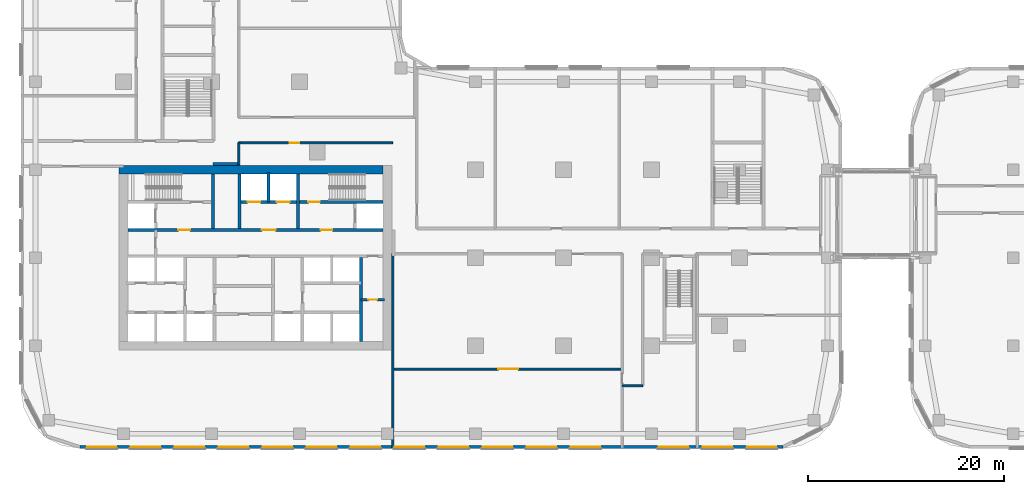
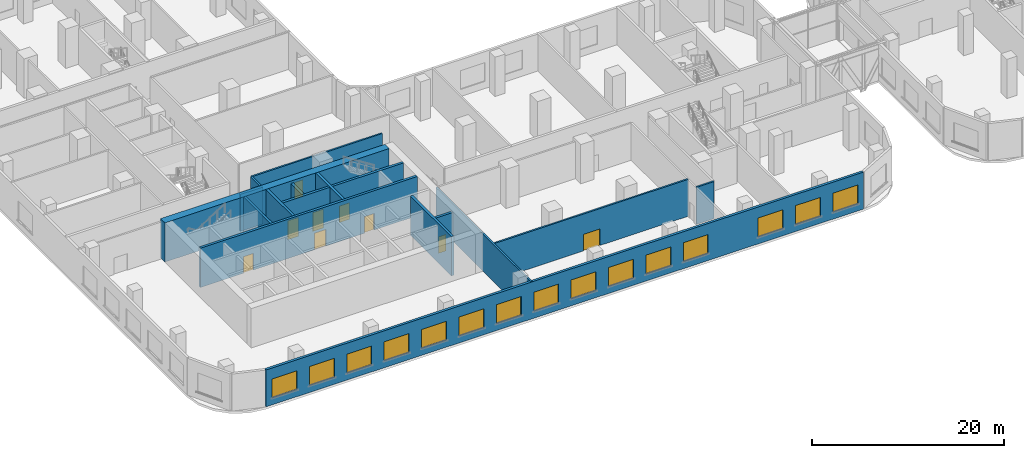
# One storey, part 7 of 35: 16 walls, 15 windows, 9 doors, 24 openings.
"""IFC4 building model written with IfcOpenShell, lengths in metres."""

from ifc_helpers import new_model, si_unit, direction, frame, frame_2d, origin, place, context, subcontext, project, spatial, rectangle, extrude, material, layer, layer_set, type_object, element, fill, save


model = new_model("IFC4")

# Units and contexts
model_context = context("Model", 3, precision=1e-05, world=origin(), true_north=direction((0.0, 1.0)))
body_context = subcontext(model_context, "Body", "Model", "MODEL_VIEW")
ifc_project = project(units=[si_unit("LENGTHUNIT", "METRE"), si_unit("AREAUNIT", "SQUARE_METRE"), si_unit("VOLUMEUNIT", "CUBIC_METRE"), si_unit("PLANEANGLEUNIT", "RADIAN"), si_unit("MASSUNIT", "GRAM", prefix="KILO")], contexts=[model_context])

# Site, building, storey
site_placement = place(None, origin())
site = spatial("IfcSite", under=ifc_project, at=site_placement, CompositionType="ELEMENT")
building_placement = place(site_placement, origin())
building = spatial("IfcBuilding", under=site, at=building_placement, Name="Ogive Portal Towers", CompositionType="ELEMENT")
storey_placement = place(building_placement, frame((0.0, 0.0, 23.5)))
storey = spatial("IfcBuildingStorey", under=building, at=storey_placement, Name="L04", CompositionType="ELEMENT", Elevation=23.5)

# Wall
ifc_material_1 = material(Name="Concrete C60/75", Category="concrete")
ifc_layer_1 = layer(ifc_material_1, 0.300048828125)
ifc_layer_set_1 = layer_set([ifc_layer_1], Name="CORE WALL 300 C60")
wall_type_1 = type_object("IfcWallType", Name="CORE WALL 300 C60", PredefinedType="SHEAR", material=ifc_layer_set_1)
wall_1_placement = place(storey_placement, frame((55.800048828125, 21.949951171875, 0.0), z_axis=(0.0, 0.0, 1.0), x_axis=(0.0, 1.0, 0.0)))
element("IfcWall", 1, at=wall_1_placement, inside=storey, type_object=wall_type_1, Name="Core wall X5 L04", PredefinedType="SHEAR", context=body_context, shape_type="SweptSolid", body=[
    extrude(rectangle(XDim=8.550048828125, YDim=0.300048828125, at=frame_2d((4.27490234375, 0.0))), origin(), (0.0, 0.0, 1.0), 5.0),
])

# Wall, openings, doors
wall_2_placement = place(storey_placement, frame((31.949951171875, 33.35009765625, 0.0), z_axis=(0.0, 0.0, 1.0), x_axis=(1.0, 0.0, 0.0)))
wall_2 = element("IfcWall", 2, at=wall_2_placement, inside=storey, type_object=wall_type_1, Name="Core wall Y2 L04", PredefinedType="SHEAR", context=body_context, shape_type="SweptSolid", body=[
    extrude(rectangle(XDim=26.10009765625, YDim=0.300048828125, at=frame_2d((13.050048828125, 0.0))), origin(), (0.0, 0.0, 1.0), 5.0),
])
opening_1_placement = place(wall_2_placement, frame((13.699951171875, 0.0, 0.0)))
opening_1 = element("IfcOpeningElement", 3, at=opening_1_placement, cuts=wall_2, Name="Opening D106-002", PredefinedType="OPENING", context=body_context, shape_type="SweptSolid", body=[
    extrude(rectangle(XDim=1.39990234375, YDim=2.10009765625, at=frame_2d((0.699951171875, 1.050048828125))), frame((0.0, 0.16015625, 0.0), z_axis=(0.0, -1.0, 0.0), x_axis=(1.0, 0.0, 0.0)), (0.0, 0.0, 1.0), 0.320068359375),
])
opening_2_placement = place(wall_2_placement, frame((5.175048828125, 0.0, 0.0)))
opening_2 = element("IfcOpeningElement", 4, at=opening_2_placement, cuts=wall_2, Name="Opening D106-003", PredefinedType="OPENING", context=body_context, shape_type="SweptSolid", body=[
    extrude(rectangle(XDim=1.199951171875, YDim=2.10009765625, at=frame_2d((0.60009765625, 1.050048828125))), frame((0.0, 0.16015625, 0.0), z_axis=(0.0, -1.0, 0.0), x_axis=(1.0, 0.0, 0.0)), (0.0, 0.0, 1.0), 0.320068359375),
])
opening_3_placement = place(wall_2_placement, frame((19.72509765625, 0.0, 0.0)))
opening_3 = element("IfcOpeningElement", 5, at=opening_3_placement, cuts=wall_2, Name="Opening D106-004", PredefinedType="OPENING", context=body_context, shape_type="SweptSolid", body=[
    extrude(rectangle(XDim=1.199951171875, YDim=2.10009765625, at=frame_2d((0.60009765625, 1.050048828125))), frame((0.0, 0.16015625, 0.0), z_axis=(0.0, -1.0, 0.0), x_axis=(1.0, 0.0, 0.0)), (0.0, 0.0, 1.0), 0.320068359375),
])
ifc_material_2 = material(Name="Steel fire door", Category="steel")
door_type_1 = type_object("IfcDoorType", Name="DT-SWING-1200x2100-FD90S", OperationType="SINGLE_SWING_LEFT", PredefinedType="DOOR", material=ifc_material_2)
door_1_placement = place(opening_2_placement, origin())
door_1 = element("IfcDoor", 6, at=door_1_placement, inside=storey, type_object=door_type_1, Name="Door D106-003", OperationType="SINGLE_SWING_LEFT", OverallHeight=2.10009765625, OverallWidth=1.199951171875, PredefinedType="DOOR", context=body_context, shape_type="SweptSolid", body=[
    extrude(rectangle(XDim=1.199951171875, YDim=2.10009765625, at=frame_2d((0.60009765625, 1.050048828125))), frame((0.0, 0.02490234375, 0.0), z_axis=(0.0, -1.0, 0.0), x_axis=(1.0, 0.0, 0.0)), (0.0, 0.0, 1.0), 0.050048828125),
])
fill(opening_2, door_1)
door_2_placement = place(opening_3_placement, origin())
door_2 = element("IfcDoor", 7, at=door_2_placement, inside=storey, type_object=door_type_1, Name="Door D106-004", OperationType="SINGLE_SWING_RIGHT", OverallHeight=2.10009765625, OverallWidth=1.199951171875, PredefinedType="DOOR", context=body_context, shape_type="SweptSolid", body=[
    extrude(rectangle(XDim=1.199951171875, YDim=2.10009765625, at=frame_2d((0.60009765625, 1.050048828125))), frame((0.0, 0.02490234375, 0.0), z_axis=(0.0, -1.0, 0.0), x_axis=(1.0, 0.0, 0.0)), (0.0, 0.0, 1.0), 0.050048828125),
])
fill(opening_3, door_2)
door_type_2 = type_object("IfcDoorType", Name="DT-SWING-1400x2100-FD90S", OperationType="SINGLE_SWING_LEFT", PredefinedType="DOOR", material=ifc_material_2)
door_3_placement = place(opening_1_placement, origin())
door_3 = element("IfcDoor", 8, at=door_3_placement, inside=storey, type_object=door_type_2, Name="Door D106-002", OperationType="SINGLE_SWING_RIGHT", OverallHeight=2.10009765625, OverallWidth=1.39990234375, PredefinedType="DOOR", context=body_context, shape_type="SweptSolid", body=[
    extrude(rectangle(XDim=1.39990234375, YDim=2.10009765625, at=frame_2d((0.699951171875, 1.050048828125))), frame((0.0, 0.02490234375, 0.0), z_axis=(0.0, -1.0, 0.0), x_axis=(1.0, 0.0, 0.0)), (0.0, 0.0, 1.0), 0.050048828125),
])
fill(opening_1, door_3)

wall_3_placement = place(storey_placement, frame((43.5, 36.199951171875, 0.0), z_axis=(0.0, 0.0, 1.0), x_axis=(1.0, 0.0, 0.0)))
wall_3 = element("IfcWall", 9, at=wall_3_placement, inside=storey, type_object=wall_type_1, Name="Core wall Y3b L04", PredefinedType="SHEAR", context=body_context, shape_type="SweptSolid", body=[
    extrude(rectangle(XDim=14.550048828125, YDim=0.300048828125, at=frame_2d((7.27490234375, 0.0))), origin(), (0.0, 0.0, 1.0), 5.0),
])
opening_4_placement = place(wall_3_placement, frame((6.89990234375, 0.0, 0.0)))
opening_4 = element("IfcOpeningElement", 10, at=opening_4_placement, cuts=wall_3, Name="Opening D106-006", PredefinedType="OPENING", context=body_context, shape_type="SweptSolid", body=[
    extrude(rectangle(XDim=1.199951171875, YDim=2.10009765625, at=frame_2d((0.60009765625, 1.050048828125))), frame((0.0, 0.16015625, 0.0), z_axis=(0.0, -1.0, 0.0), x_axis=(1.0, 0.0, 0.0)), (0.0, 0.0, 1.0), 0.320068359375),
])
opening_5_placement = place(wall_3_placement, frame((0.699951171875, 0.0, 0.0)))
opening_5 = element("IfcOpeningElement", 11, at=opening_5_placement, cuts=wall_3, Name="Opening D106-015", PredefinedType="OPENING", context=body_context, shape_type="SweptSolid", body=[
    extrude(rectangle(XDim=1.300048828125, YDim=2.39990234375, at=frame_2d((0.64990234375, 1.199951171875))), frame((0.0, 0.16015625, 0.0), z_axis=(0.0, -1.0, 0.0), x_axis=(1.0, 0.0, 0.0)), (0.0, 0.0, 1.0), 0.320068359375),
])
opening_6_placement = place(wall_3_placement, frame((3.699951171875, 0.0, 0.0)))
opening_6 = element("IfcOpeningElement", 12, at=opening_6_placement, cuts=wall_3, Name="Opening D106-016", PredefinedType="OPENING", context=body_context, shape_type="SweptSolid", body=[
    extrude(rectangle(XDim=1.300048828125, YDim=2.39990234375, at=frame_2d((0.64990234375, 1.199951171875))), frame((0.0, 0.16015625, 0.0), z_axis=(0.0, -1.0, 0.0), x_axis=(1.0, 0.0, 0.0)), (0.0, 0.0, 1.0), 0.320068359375),
])
ifc_material_3 = material(Name="Stainless steel", Category="steel")
door_type_3 = type_object("IfcDoorType", Name="DT-LD-1300x2400", OperationType="SLIDING_TO_LEFT", PredefinedType="DOOR", material=ifc_material_3)
door_4_placement = place(opening_5_placement, origin())
door_4 = element("IfcDoor", 13, at=door_4_placement, inside=storey, type_object=door_type_3, Name="Door D106-015", OperationType="SLIDING_TO_LEFT", OverallHeight=2.39990234375, OverallWidth=1.300048828125, PredefinedType="DOOR", context=body_context, shape_type="SweptSolid", body=[
    extrude(rectangle(XDim=1.300048828125, YDim=2.39990234375, at=frame_2d((0.64990234375, 1.199951171875))), frame((0.0, 0.02490234375, 0.0), z_axis=(0.0, -1.0, 0.0), x_axis=(1.0, 0.0, 0.0)), (0.0, 0.0, 1.0), 0.050048828125),
])
fill(opening_5, door_4)
door_5_placement = place(opening_6_placement, origin())
door_5 = element("IfcDoor", 14, at=door_5_placement, inside=storey, type_object=door_type_3, Name="Door D106-016", OperationType="SLIDING_TO_LEFT", OverallHeight=2.39990234375, OverallWidth=1.300048828125, PredefinedType="DOOR", context=body_context, shape_type="SweptSolid", body=[
    extrude(rectangle(XDim=1.300048828125, YDim=2.39990234375, at=frame_2d((0.64990234375, 1.199951171875))), frame((0.0, 0.02490234375, 0.0), z_axis=(0.0, -1.0, 0.0), x_axis=(1.0, 0.0, 0.0)), (0.0, 0.0, 1.0), 0.050048828125),
])
fill(opening_6, door_5)
door_6_placement = place(opening_4_placement, origin())
door_6 = element("IfcDoor", 15, at=door_6_placement, inside=storey, type_object=door_type_1, Name="Door D106-006", OperationType="SINGLE_SWING_LEFT", OverallHeight=2.10009765625, OverallWidth=1.199951171875, PredefinedType="DOOR", context=body_context, shape_type="SweptSolid", body=[
    extrude(rectangle(XDim=1.199951171875, YDim=2.10009765625, at=frame_2d((0.60009765625, 1.050048828125))), frame((0.0, 0.02490234375, 0.0), z_axis=(0.0, -1.0, 0.0), x_axis=(1.0, 0.0, 0.0)), (0.0, 0.0, 1.0), 0.050048828125),
])
fill(opening_4, door_6)

# Walls
for number, where, z_axis, x_axis, name in (
    (16, (40.64990234375, 33.5, 0.0), (0.0, 0.0, 1.0), (0.0, 1.0, 0.0), "Core wall X6 L04"),
    (17, (43.35009765625, 33.5, 0.0), (0.0, 0.0, 1.0), (0.0, 1.0, 0.0), "Core wall X7 L04"),
    (18, (49.35009765625, 33.5, 0.0), (0.0, 0.0, 1.0), (0.0, 1.0, 0.0), "Core wall X9 L04"),
):
    element("IfcWall", number, at=place(storey_placement, frame(where, z_axis=z_axis, x_axis=x_axis)), inside=storey, type_object=wall_type_1, Name=name, PredefinedType="SHEAR", context=body_context, shape_type="SweptSolid", body=[
        extrude(rectangle(XDim=5.550048828125, YDim=0.300048828125, at=frame_2d((2.77490234375, 0.0))), origin(), (0.0, 0.0, 1.0), 5.0),
    ])
ifc_layer_2 = layer(ifc_material_1, 0.89990234375)
ifc_layer_set_2 = layer_set([ifc_layer_2], Name="CORE WALL 900 C60")
wall_type_2 = type_object("IfcWallType", Name="CORE WALL 900 C60", PredefinedType="SHEAR", material=ifc_layer_set_2)
wall_4_placement = place(storey_placement, frame((31.050048828125, 39.5, 0.0), z_axis=(0.0, 0.0, 1.0), x_axis=(1.0, 0.0, 0.0)))
element("IfcWall", 19, at=wall_4_placement, inside=storey, type_object=wall_type_2, Name="Core wall N L04", PredefinedType="SHEAR", context=body_context, shape_type="SweptSolid", body=[
    extrude(rectangle(XDim=27.0, YDim=0.89990234375, at=frame_2d((13.5, 0.0))), origin(), (0.0, 0.0, 1.0), 5.0),
])

# Wall, openings, windows
ifc_material_4 = material(Name="Limestone cladding on lightweight block wall", Category="masonry")
ifc_layer_3 = layer(ifc_material_4, 0.300048828125)
ifc_layer_set_3 = layer_set([ifc_layer_3], Name="EXTERNAL WALL 300 STONE")
wall_type_3 = type_object("IfcWallType", Name="EXTERNAL WALL 300 STONE", PredefinedType="SOLIDWALL", material=ifc_layer_set_3)
wall_5_placement = place(storey_placement, frame((27.047607421875, 11.14990234375, 0.0), z_axis=(0.0, 0.0, 1.0), x_axis=(1.0, 0.0, 0.0)))
wall_5 = element("IfcWall", 20, at=wall_5_placement, inside=storey, type_object=wall_type_3, Name="A:L04:f02:w0", PredefinedType="SOLIDWALL", context=body_context, shape_type="SweptSolid", body=[
    extrude(rectangle(XDim=71.88037109375, YDim=0.300048828125, at=frame_2d((35.940185546875, 0.0))), origin(), (0.0, 0.0, 1.0), 4.699951171875),
])
opening_7_placement = place(wall_5_placement, frame((0.726318359375, 0.0, 0.89990234375)))
opening_7 = element("IfcOpeningElement", 21, at=opening_7_placement, cuts=wall_5, Name="Opening WN3", PredefinedType="OPENING", context=body_context, shape_type="SweptSolid", body=[
    extrude(rectangle(XDim=3.0, YDim=2.39990234375, at=frame_2d((1.5, 1.199951171875))), frame((0.0, 0.16015625, 0.0), z_axis=(0.0, -1.0, 0.0), x_axis=(1.0, 0.0, 0.0)), (0.0, 0.0, 1.0), 0.320068359375),
])
opening_8_placement = place(wall_5_placement, frame((5.202392578125, 0.0, 0.89990234375)))
opening_8 = element("IfcOpeningElement", 22, at=opening_8_placement, cuts=wall_5, Name="Opening WN3", PredefinedType="OPENING", context=body_context, shape_type="SweptSolid", body=[
    extrude(rectangle(XDim=3.0, YDim=2.39990234375, at=frame_2d((1.5, 1.199951171875))), frame((0.0, 0.16015625, 0.0), z_axis=(0.0, -1.0, 0.0), x_axis=(1.0, 0.0, 0.0)), (0.0, 0.0, 1.0), 0.320068359375),
])
opening_9_placement = place(wall_5_placement, frame((9.702392578125, 0.0, 0.89990234375)))
opening_9 = element("IfcOpeningElement", 23, at=opening_9_placement, cuts=wall_5, Name="Opening WN3", PredefinedType="OPENING", context=body_context, shape_type="SweptSolid", body=[
    extrude(rectangle(XDim=3.0, YDim=2.39990234375, at=frame_2d((1.5, 1.199951171875))), frame((0.0, 0.16015625, 0.0), z_axis=(0.0, -1.0, 0.0), x_axis=(1.0, 0.0, 0.0)), (0.0, 0.0, 1.0), 0.320068359375),
])
opening_10_placement = place(wall_5_placement, frame((14.202392578125, 0.0, 0.89990234375)))
opening_10 = element("IfcOpeningElement", 24, at=opening_10_placement, cuts=wall_5, Name="Opening WN3", PredefinedType="OPENING", context=body_context, shape_type="SweptSolid", body=[
    extrude(rectangle(XDim=3.0, YDim=2.39990234375, at=frame_2d((1.5, 1.199951171875))), frame((0.0, 0.16015625, 0.0), z_axis=(0.0, -1.0, 0.0), x_axis=(1.0, 0.0, 0.0)), (0.0, 0.0, 1.0), 0.320068359375),
])
opening_11_placement = place(wall_5_placement, frame((18.702392578125, 0.0, 0.89990234375)))
opening_11 = element("IfcOpeningElement", 25, at=opening_11_placement, cuts=wall_5, Name="Opening WN3", PredefinedType="OPENING", context=body_context, shape_type="SweptSolid", body=[
    extrude(rectangle(XDim=3.0, YDim=2.39990234375, at=frame_2d((1.5, 1.199951171875))), frame((0.0, 0.16015625, 0.0), z_axis=(0.0, -1.0, 0.0), x_axis=(1.0, 0.0, 0.0)), (0.0, 0.0, 1.0), 0.320068359375),
])
opening_12_placement = place(wall_5_placement, frame((23.202392578125, 0.0, 0.89990234375)))
opening_12 = element("IfcOpeningElement", 26, at=opening_12_placement, cuts=wall_5, Name="Opening WN3", PredefinedType="OPENING", context=body_context, shape_type="SweptSolid", body=[
    extrude(rectangle(XDim=3.0, YDim=2.39990234375, at=frame_2d((1.5, 1.199951171875))), frame((0.0, 0.16015625, 0.0), z_axis=(0.0, -1.0, 0.0), x_axis=(1.0, 0.0, 0.0)), (0.0, 0.0, 1.0), 0.320068359375),
])
opening_13_placement = place(wall_5_placement, frame((27.702392578125, 0.0, 0.89990234375)))
opening_13 = element("IfcOpeningElement", 27, at=opening_13_placement, cuts=wall_5, Name="Opening WN3", PredefinedType="OPENING", context=body_context, shape_type="SweptSolid", body=[
    extrude(rectangle(XDim=3.0, YDim=2.39990234375, at=frame_2d((1.5, 1.199951171875))), frame((0.0, 0.16015625, 0.0), z_axis=(0.0, -1.0, 0.0), x_axis=(1.0, 0.0, 0.0)), (0.0, 0.0, 1.0), 0.320068359375),
])
opening_14_placement = place(wall_5_placement, frame((32.202392578125, 0.0, 0.89990234375)))
opening_14 = element("IfcOpeningElement", 28, at=opening_14_placement, cuts=wall_5, Name="Opening WN3", PredefinedType="OPENING", context=body_context, shape_type="SweptSolid", body=[
    extrude(rectangle(XDim=3.0, YDim=2.39990234375, at=frame_2d((1.5, 1.199951171875))), frame((0.0, 0.16015625, 0.0), z_axis=(0.0, -1.0, 0.0), x_axis=(1.0, 0.0, 0.0)), (0.0, 0.0, 1.0), 0.320068359375),
])
opening_15_placement = place(wall_5_placement, frame((36.702392578125, 0.0, 0.89990234375)))
opening_15 = element("IfcOpeningElement", 29, at=opening_15_placement, cuts=wall_5, Name="Opening WN3", PredefinedType="OPENING", context=body_context, shape_type="SweptSolid", body=[
    extrude(rectangle(XDim=3.0, YDim=2.39990234375, at=frame_2d((1.5, 1.199951171875))), frame((0.0, 0.16015625, 0.0), z_axis=(0.0, -1.0, 0.0), x_axis=(1.0, 0.0, 0.0)), (0.0, 0.0, 1.0), 0.320068359375),
])
opening_16_placement = place(wall_5_placement, frame((41.202392578125, 0.0, 0.89990234375)))
opening_16 = element("IfcOpeningElement", 30, at=opening_16_placement, cuts=wall_5, Name="Opening WN3", PredefinedType="OPENING", context=body_context, shape_type="SweptSolid", body=[
    extrude(rectangle(XDim=3.0, YDim=2.39990234375, at=frame_2d((1.5, 1.199951171875))), frame((0.0, 0.16015625, 0.0), z_axis=(0.0, -1.0, 0.0), x_axis=(1.0, 0.0, 0.0)), (0.0, 0.0, 1.0), 0.320068359375),
])
opening_17_placement = place(wall_5_placement, frame((45.702392578125, 0.0, 0.89990234375)))
opening_17 = element("IfcOpeningElement", 31, at=opening_17_placement, cuts=wall_5, Name="Opening WN3", PredefinedType="OPENING", context=body_context, shape_type="SweptSolid", body=[
    extrude(rectangle(XDim=3.0, YDim=2.39990234375, at=frame_2d((1.5, 1.199951171875))), frame((0.0, 0.16015625, 0.0), z_axis=(0.0, -1.0, 0.0), x_axis=(1.0, 0.0, 0.0)), (0.0, 0.0, 1.0), 0.320068359375),
])
opening_18_placement = place(wall_5_placement, frame((50.202392578125, 0.0, 0.89990234375)))
opening_18 = element("IfcOpeningElement", 32, at=opening_18_placement, cuts=wall_5, Name="Opening WN3", PredefinedType="OPENING", context=body_context, shape_type="SweptSolid", body=[
    extrude(rectangle(XDim=3.0, YDim=2.39990234375, at=frame_2d((1.5, 1.199951171875))), frame((0.0, 0.16015625, 0.0), z_axis=(0.0, -1.0, 0.0), x_axis=(1.0, 0.0, 0.0)), (0.0, 0.0, 1.0), 0.320068359375),
])
opening_19_placement = place(wall_5_placement, frame((59.202392578125, 0.0, 0.89990234375)))
opening_19 = element("IfcOpeningElement", 33, at=opening_19_placement, cuts=wall_5, Name="Opening WN3", PredefinedType="OPENING", context=body_context, shape_type="SweptSolid", body=[
    extrude(rectangle(XDim=3.0, YDim=2.39990234375, at=frame_2d((1.5, 1.199951171875))), frame((0.0, 0.16015625, 0.0), z_axis=(0.0, -1.0, 0.0), x_axis=(1.0, 0.0, 0.0)), (0.0, 0.0, 1.0), 0.320068359375),
])
opening_20_placement = place(wall_5_placement, frame((63.702392578125, 0.0, 0.89990234375)))
opening_20 = element("IfcOpeningElement", 34, at=opening_20_placement, cuts=wall_5, Name="Opening WN3", PredefinedType="OPENING", context=body_context, shape_type="SweptSolid", body=[
    extrude(rectangle(XDim=3.0, YDim=2.39990234375, at=frame_2d((1.5, 1.199951171875))), frame((0.0, 0.16015625, 0.0), z_axis=(0.0, -1.0, 0.0), x_axis=(1.0, 0.0, 0.0)), (0.0, 0.0, 1.0), 0.320068359375),
])
opening_21_placement = place(wall_5_placement, frame((68.226318359375, 0.0, 0.89990234375)))
opening_21 = element("IfcOpeningElement", 35, at=opening_21_placement, cuts=wall_5, Name="Opening WN3", PredefinedType="OPENING", context=body_context, shape_type="SweptSolid", body=[
    extrude(rectangle(XDim=3.0, YDim=2.39990234375, at=frame_2d((1.5, 1.199951171875))), frame((0.0, 0.16015625, 0.0), z_axis=(0.0, -1.0, 0.0), x_axis=(1.0, 0.0, 0.0)), (0.0, 0.0, 1.0), 0.320068359375),
])
ifc_material_5 = material(Name="Glass, clear low-iron insulated glazing", Category="glass")
window_type = type_object("IfcWindowType", Name="WINDOW PODIUM 3000x2400", PartitioningType="SINGLE_PANEL", PredefinedType="WINDOW", material=ifc_material_5)
window_1_placement = place(opening_7_placement, origin())
window_1 = element("IfcWindow", 36, at=window_1_placement, inside=storey, type_object=window_type, Name="A:L04:f02:w0:o0", OverallHeight=2.39990234375, OverallWidth=3.0, PartitioningType="SINGLE_PANEL", PredefinedType="WINDOW", context=body_context, shape_type="SweptSolid", body=[
    extrude(rectangle(XDim=3.0, YDim=2.39990234375, at=frame_2d((1.5, 1.199951171875))), frame((0.0, 0.030029296875, 0.0), z_axis=(0.0, -1.0, 0.0), x_axis=(1.0, 0.0, 0.0)), (0.0, 0.0, 1.0), 0.06005859375),
])
fill(opening_7, window_1)
window_2_placement = place(opening_8_placement, origin())
window_2 = element("IfcWindow", 37, at=window_2_placement, inside=storey, type_object=window_type, Name="A:L04:f02:w0:o1a", OverallHeight=2.39990234375, OverallWidth=3.0, PartitioningType="SINGLE_PANEL", PredefinedType="WINDOW", context=body_context, shape_type="SweptSolid", body=[
    extrude(rectangle(XDim=3.0, YDim=2.39990234375, at=frame_2d((1.5, 1.199951171875))), frame((0.0, 0.030029296875, 0.0), z_axis=(0.0, -1.0, 0.0), x_axis=(1.0, 0.0, 0.0)), (0.0, 0.0, 1.0), 0.06005859375),
])
fill(opening_8, window_2)
window_3_placement = place(opening_9_placement, origin())
window_3 = element("IfcWindow", 38, at=window_3_placement, inside=storey, type_object=window_type, Name="A:L04:f02:w0:o1b", OverallHeight=2.39990234375, OverallWidth=3.0, PartitioningType="SINGLE_PANEL", PredefinedType="WINDOW", context=body_context, shape_type="SweptSolid", body=[
    extrude(rectangle(XDim=3.0, YDim=2.39990234375, at=frame_2d((1.5, 1.199951171875))), frame((0.0, 0.030029296875, 0.0), z_axis=(0.0, -1.0, 0.0), x_axis=(1.0, 0.0, 0.0)), (0.0, 0.0, 1.0), 0.06005859375),
])
fill(opening_9, window_3)
window_4_placement = place(opening_10_placement, origin())
window_4 = element("IfcWindow", 39, at=window_4_placement, inside=storey, type_object=window_type, Name="A:L04:f02:w0:o2a", OverallHeight=2.39990234375, OverallWidth=3.0, PartitioningType="SINGLE_PANEL", PredefinedType="WINDOW", context=body_context, shape_type="SweptSolid", body=[
    extrude(rectangle(XDim=3.0, YDim=2.39990234375, at=frame_2d((1.5, 1.199951171875))), frame((0.0, 0.030029296875, 0.0), z_axis=(0.0, -1.0, 0.0), x_axis=(1.0, 0.0, 0.0)), (0.0, 0.0, 1.0), 0.06005859375),
])
fill(opening_10, window_4)
window_5_placement = place(opening_11_placement, origin())
window_5 = element("IfcWindow", 40, at=window_5_placement, inside=storey, type_object=window_type, Name="A:L04:f02:w0:o2b", OverallHeight=2.39990234375, OverallWidth=3.0, PartitioningType="SINGLE_PANEL", PredefinedType="WINDOW", context=body_context, shape_type="SweptSolid", body=[
    extrude(rectangle(XDim=3.0, YDim=2.39990234375, at=frame_2d((1.5, 1.199951171875))), frame((0.0, 0.030029296875, 0.0), z_axis=(0.0, -1.0, 0.0), x_axis=(1.0, 0.0, 0.0)), (0.0, 0.0, 1.0), 0.06005859375),
])
fill(opening_11, window_5)
window_6_placement = place(opening_12_placement, origin())
window_6 = element("IfcWindow", 41, at=window_6_placement, inside=storey, type_object=window_type, Name="A:L04:f02:w0:o3a", OverallHeight=2.39990234375, OverallWidth=3.0, PartitioningType="SINGLE_PANEL", PredefinedType="WINDOW", context=body_context, shape_type="SweptSolid", body=[
    extrude(rectangle(XDim=3.0, YDim=2.39990234375, at=frame_2d((1.5, 1.199951171875))), frame((0.0, 0.030029296875, 0.0), z_axis=(0.0, -1.0, 0.0), x_axis=(1.0, 0.0, 0.0)), (0.0, 0.0, 1.0), 0.06005859375),
])
fill(opening_12, window_6)
window_7_placement = place(opening_13_placement, origin())
window_7 = element("IfcWindow", 42, at=window_7_placement, inside=storey, type_object=window_type, Name="A:L04:f02:w0:o3b", OverallHeight=2.39990234375, OverallWidth=3.0, PartitioningType="SINGLE_PANEL", PredefinedType="WINDOW", context=body_context, shape_type="SweptSolid", body=[
    extrude(rectangle(XDim=3.0, YDim=2.39990234375, at=frame_2d((1.5, 1.199951171875))), frame((0.0, 0.030029296875, 0.0), z_axis=(0.0, -1.0, 0.0), x_axis=(1.0, 0.0, 0.0)), (0.0, 0.0, 1.0), 0.06005859375),
])
fill(opening_13, window_7)
window_8_placement = place(opening_14_placement, origin())
window_8 = element("IfcWindow", 43, at=window_8_placement, inside=storey, type_object=window_type, Name="A:L04:f02:w0:o4a", OverallHeight=2.39990234375, OverallWidth=3.0, PartitioningType="SINGLE_PANEL", PredefinedType="WINDOW", context=body_context, shape_type="SweptSolid", body=[
    extrude(rectangle(XDim=3.0, YDim=2.39990234375, at=frame_2d((1.5, 1.199951171875))), frame((0.0, 0.030029296875, 0.0), z_axis=(0.0, -1.0, 0.0), x_axis=(1.0, 0.0, 0.0)), (0.0, 0.0, 1.0), 0.06005859375),
])
fill(opening_14, window_8)
window_9_placement = place(opening_15_placement, origin())
window_9 = element("IfcWindow", 44, at=window_9_placement, inside=storey, type_object=window_type, Name="A:L04:f02:w0:o4b", OverallHeight=2.39990234375, OverallWidth=3.0, PartitioningType="SINGLE_PANEL", PredefinedType="WINDOW", context=body_context, shape_type="SweptSolid", body=[
    extrude(rectangle(XDim=3.0, YDim=2.39990234375, at=frame_2d((1.5, 1.199951171875))), frame((0.0, 0.030029296875, 0.0), z_axis=(0.0, -1.0, 0.0), x_axis=(1.0, 0.0, 0.0)), (0.0, 0.0, 1.0), 0.06005859375),
])
fill(opening_15, window_9)
window_10_placement = place(opening_16_placement, origin())
window_10 = element("IfcWindow", 45, at=window_10_placement, inside=storey, type_object=window_type, Name="A:L04:f02:w0:o5a", OverallHeight=2.39990234375, OverallWidth=3.0, PartitioningType="SINGLE_PANEL", PredefinedType="WINDOW", context=body_context, shape_type="SweptSolid", body=[
    extrude(rectangle(XDim=3.0, YDim=2.39990234375, at=frame_2d((1.5, 1.199951171875))), frame((0.0, 0.030029296875, 0.0), z_axis=(0.0, -1.0, 0.0), x_axis=(1.0, 0.0, 0.0)), (0.0, 0.0, 1.0), 0.06005859375),
])
fill(opening_16, window_10)
window_11_placement = place(opening_17_placement, origin())
window_11 = element("IfcWindow", 46, at=window_11_placement, inside=storey, type_object=window_type, Name="A:L04:f02:w0:o5b", OverallHeight=2.39990234375, OverallWidth=3.0, PartitioningType="SINGLE_PANEL", PredefinedType="WINDOW", context=body_context, shape_type="SweptSolid", body=[
    extrude(rectangle(XDim=3.0, YDim=2.39990234375, at=frame_2d((1.5, 1.199951171875))), frame((0.0, 0.030029296875, 0.0), z_axis=(0.0, -1.0, 0.0), x_axis=(1.0, 0.0, 0.0)), (0.0, 0.0, 1.0), 0.06005859375),
])
fill(opening_17, window_11)
window_12_placement = place(opening_18_placement, origin())
window_12 = element("IfcWindow", 47, at=window_12_placement, inside=storey, type_object=window_type, Name="A:L04:f02:w0:o6a", OverallHeight=2.39990234375, OverallWidth=3.0, PartitioningType="SINGLE_PANEL", PredefinedType="WINDOW", context=body_context, shape_type="SweptSolid", body=[
    extrude(rectangle(XDim=3.0, YDim=2.39990234375, at=frame_2d((1.5, 1.199951171875))), frame((0.0, 0.030029296875, 0.0), z_axis=(0.0, -1.0, 0.0), x_axis=(1.0, 0.0, 0.0)), (0.0, 0.0, 1.0), 0.06005859375),
])
fill(opening_18, window_12)
window_13_placement = place(opening_19_placement, origin())
window_13 = element("IfcWindow", 48, at=window_13_placement, inside=storey, type_object=window_type, Name="A:L04:f02:w0:o7a", OverallHeight=2.39990234375, OverallWidth=3.0, PartitioningType="SINGLE_PANEL", PredefinedType="WINDOW", context=body_context, shape_type="SweptSolid", body=[
    extrude(rectangle(XDim=3.0, YDim=2.39990234375, at=frame_2d((1.5, 1.199951171875))), frame((0.0, 0.030029296875, 0.0), z_axis=(0.0, -1.0, 0.0), x_axis=(1.0, 0.0, 0.0)), (0.0, 0.0, 1.0), 0.06005859375),
])
fill(opening_19, window_13)
window_14_placement = place(opening_20_placement, origin())
window_14 = element("IfcWindow", 49, at=window_14_placement, inside=storey, type_object=window_type, Name="A:L04:f02:w0:o7b", OverallHeight=2.39990234375, OverallWidth=3.0, PartitioningType="SINGLE_PANEL", PredefinedType="WINDOW", context=body_context, shape_type="SweptSolid", body=[
    extrude(rectangle(XDim=3.0, YDim=2.39990234375, at=frame_2d((1.5, 1.199951171875))), frame((0.0, 0.030029296875, 0.0), z_axis=(0.0, -1.0, 0.0), x_axis=(1.0, 0.0, 0.0)), (0.0, 0.0, 1.0), 0.06005859375),
])
fill(opening_20, window_14)
window_15_placement = place(opening_21_placement, origin())
window_15 = element("IfcWindow", 50, at=window_15_placement, inside=storey, type_object=window_type, Name="A:L04:f02:w0:o8", OverallHeight=2.39990234375, OverallWidth=3.0, PartitioningType="SINGLE_PANEL", PredefinedType="WINDOW", context=body_context, shape_type="SweptSolid", body=[
    extrude(rectangle(XDim=3.0, YDim=2.39990234375, at=frame_2d((1.5, 1.199951171875))), frame((0.0, 0.030029296875, 0.0), z_axis=(0.0, -1.0, 0.0), x_axis=(1.0, 0.0, 0.0)), (0.0, 0.0, 1.0), 0.06005859375),
])
fill(opening_21, window_15)

# Wall
ifc_material_6 = material(Name="Gypsum board partition on steel studs", Category="steel")
ifc_layer_4 = layer(ifc_material_6, 0.199951171875)
ifc_layer_set_4 = layer_set([ifc_layer_4], Name="WT-PART-200-EI 60")
wall_type_4 = type_object("IfcWallType", Name="WT-PART-200-EI 60", PredefinedType="PARTITIONING", material=ifc_layer_set_4)
wall_6_placement = place(storey_placement, frame((82.5, 17.39990234375, 0.0), z_axis=(0.0, 0.0, 1.0), x_axis=(1.0, 0.0, 0.0)))
element("IfcWall", 51, at=wall_6_placement, inside=storey, type_object=wall_type_4, Name="Wall L04:w001", PredefinedType="PARTITIONING", context=body_context, shape_type="SweptSolid", body=[
    extrude(rectangle(XDim=2.10009765625, YDim=0.199951171875, at=frame_2d((1.050048828125, 0.0))), origin(), (0.0, 0.0, 1.0), 4.699951171875),
])

# Wall, opening, door
wall_7_placement = place(storey_placement, frame((59.050048828125, 19.10009765625, 0.0), z_axis=(0.0, 0.0, 1.0), x_axis=(1.0, 0.0, 0.0)))
wall_7 = element("IfcWall", 52, at=wall_7_placement, inside=storey, type_object=wall_type_4, Name="Wall L04:w002", PredefinedType="PARTITIONING", context=body_context, shape_type="SweptSolid", body=[
    extrude(rectangle(XDim=23.449951171875, YDim=0.199951171875, at=frame_2d((11.72509765625, 0.0))), origin(), (0.0, 0.0, 1.0), 4.699951171875),
])
opening_22_placement = place(wall_7_placement, frame((10.800048828125, 0.0, 0.0)))
opening_22 = element("IfcOpeningElement", 53, at=opening_22_placement, cuts=wall_7, Name="Opening P04-032", PredefinedType="OPENING", context=body_context, shape_type="SweptSolid", body=[
    extrude(rectangle(XDim=2.0, YDim=2.10009765625, at=frame_2d((1.0, 1.050048828125))), frame((0.0, 0.10986328125, 0.0), z_axis=(0.0, -1.0, 0.0), x_axis=(1.0, 0.0, 0.0)), (0.0, 0.0, 1.0), 0.219970703125),
])
door_type_4 = type_object("IfcDoorType", Name="DT-SWING-2000x2100-FD60S", OperationType="SINGLE_SWING_LEFT", PredefinedType="DOOR", material=ifc_material_2)
door_7_placement = place(opening_22_placement, origin())
door_7 = element("IfcDoor", 54, at=door_7_placement, inside=storey, type_object=door_type_4, Name="Door P04-032", OperationType="SINGLE_SWING_RIGHT", OverallHeight=2.10009765625, OverallWidth=2.0, PredefinedType="DOOR", context=body_context, shape_type="SweptSolid", body=[
    extrude(rectangle(XDim=2.0, YDim=2.10009765625, at=frame_2d((1.0, 1.050048828125))), frame((0.0, 0.02490234375, 0.0), z_axis=(0.0, -1.0, 0.0), x_axis=(1.0, 0.0, 0.0)), (0.0, 0.0, 1.0), 0.050048828125),
])
fill(opening_22, door_7)

wall_8_placement = place(storey_placement, frame((43.300048828125, 42.25, 0.0), z_axis=(0.0, 0.0, 1.0), x_axis=(1.0, 0.0, 0.0)))
wall_8 = element("IfcWall", 55, at=wall_8_placement, inside=storey, type_object=wall_type_4, Name="Wall L04:w038", PredefinedType="PARTITIONING", context=body_context, shape_type="SweptSolid", body=[
    extrude(rectangle(XDim=15.719970703125, YDim=0.199951171875, at=frame_2d((7.85986328125, 0.0))), origin(), (0.0, 0.0, 1.0), 4.699951171875),
])
opening_23_placement = place(wall_8_placement, frame((5.199951171875, 0.0, 0.0)))
opening_23 = element("IfcOpeningElement", 56, at=opening_23_placement, cuts=wall_8, Name="Opening P04-006", PredefinedType="OPENING", context=body_context, shape_type="SweptSolid", body=[
    extrude(rectangle(XDim=1.0, YDim=2.10009765625, at=frame_2d((0.5, 1.050048828125))), frame((0.0, 0.10986328125, 0.0), z_axis=(0.0, -1.0, 0.0), x_axis=(1.0, 0.0, 0.0)), (0.0, 0.0, 1.0), 0.219970703125),
])
door_type_5 = type_object("IfcDoorType", Name="DT-SWING-1000x2100-FD60S", OperationType="SINGLE_SWING_LEFT", PredefinedType="DOOR", material=ifc_material_2)
door_8_placement = place(opening_23_placement, origin())
door_8 = element("IfcDoor", 57, at=door_8_placement, inside=storey, type_object=door_type_5, Name="Door P04-006", OperationType="SINGLE_SWING_RIGHT", OverallHeight=2.10009765625, OverallWidth=1.0, PredefinedType="DOOR", context=body_context, shape_type="SweptSolid", body=[
    extrude(rectangle(XDim=1.0, YDim=2.10009765625, at=frame_2d((0.5, 1.050048828125))), frame((0.0, 0.02490234375, 0.0), z_axis=(0.0, -1.0, 0.0), x_axis=(1.0, 0.0, 0.0)), (0.0, 0.0, 1.0), 0.050048828125),
])
fill(opening_23, door_8)

# Walls
wall_9_placement = place(storey_placement, frame((43.300048828125, 39.969970703125, 0.0), z_axis=(0.0, 0.0, 1.0), x_axis=(0.0, 1.0, 0.0)))
element("IfcWall", 58, at=wall_9_placement, inside=storey, type_object=wall_type_4, Name="Wall L04:w086", PredefinedType="PARTITIONING", context=body_context, shape_type="SweptSolid", body=[
    extrude(rectangle(XDim=2.280029296875, YDim=0.199951171875, at=frame_2d((1.14013671875, 0.0))), origin(), (0.0, 0.0, 1.0), 4.699951171875),
])
wall_10_placement = place(storey_placement, frame((59.050048828125, 11.070068359375, 0.0), z_axis=(0.0, 0.0, 1.0), x_axis=(0.0, 1.0, 0.0)))
element("IfcWall", 59, at=wall_10_placement, inside=storey, type_object=wall_type_4, Name="Wall L04:w092", PredefinedType="PARTITIONING", context=body_context, shape_type="SweptSolid", body=[
    extrude(rectangle(XDim=19.829833984375, YDim=0.199951171875, at=frame_2d((9.9150390625, 0.0))), origin(), (0.0, 0.0, 1.0), 4.699951171875),
])

# Wall, opening, door
ifc_layer_5 = layer(ifc_material_6, 0.300048828125)
ifc_layer_set_5 = layer_set([ifc_layer_5], Name="WT-PART-300")
wall_type_5 = type_object("IfcWallType", Name="WT-PART-300", PredefinedType="PARTITIONING", material=ifc_layer_set_5)
wall_11_placement = place(storey_placement, frame((55.800048828125, 26.199951171875, 0.0), z_axis=(0.0, 0.0, 1.0), x_axis=(1.0, 0.0, 0.0)))
wall_11 = element("IfcWall", 60, at=wall_11_placement, inside=storey, type_object=wall_type_5, Name="Wall pw:004:L04", PredefinedType="PARTITIONING", context=body_context, shape_type="SweptSolid", body=[
    extrude(rectangle(XDim=2.39990234375, YDim=0.300048828125, at=frame_2d((1.199951171875, 0.0))), origin(), (0.0, 0.0, 1.0), 4.699951171875),
])
opening_24_placement = place(wall_11_placement, frame((0.75, 0.0, 0.0)))
opening_24 = element("IfcOpeningElement", 61, at=opening_24_placement, cuts=wall_11, Name="Opening D106-010", PredefinedType="OPENING", context=body_context, shape_type="SweptSolid", body=[
    extrude(rectangle(XDim=0.89990234375, YDim=2.10009765625, at=frame_2d((0.449951171875, 1.050048828125))), frame((0.0, 0.16015625, 0.0), z_axis=(0.0, -1.0, 0.0), x_axis=(1.0, 0.0, 0.0)), (0.0, 0.0, 1.0), 0.320068359375),
])
door_type_6 = type_object("IfcDoorType", Name="DT-SWING-900x2100-FD60S", OperationType="SINGLE_SWING_LEFT", PredefinedType="DOOR", material=ifc_material_2)
door_9_placement = place(opening_24_placement, origin())
door_9 = element("IfcDoor", 62, at=door_9_placement, inside=storey, type_object=door_type_6, Name="Door D106-010", OperationType="SINGLE_SWING_RIGHT", OverallHeight=2.10009765625, OverallWidth=0.89990234375, PredefinedType="DOOR", context=body_context, shape_type="SweptSolid", body=[
    extrude(rectangle(XDim=0.89990234375, YDim=2.10009765625, at=frame_2d((0.449951171875, 1.050048828125))), frame((0.0, 0.02490234375, 0.0), z_axis=(0.0, -1.0, 0.0), x_axis=(1.0, 0.0, 0.0)), (0.0, 0.0, 1.0), 0.050048828125),
])
fill(opening_24, door_9)

# Walls
wall_12_placement = place(storey_placement, frame((40.64990234375, 40.10009765625, 0.0), z_axis=(0.0, 0.0, 1.0), x_axis=(1.0, 0.0, 0.0)))
element("IfcWall", 63, at=wall_12_placement, inside=storey, type_object=wall_type_5, Name="Wall pw:010:L04", PredefinedType="PARTITIONING", context=body_context, shape_type="SweptSolid", body=[
    extrude(rectangle(XDim=2.7001953125, YDim=0.300048828125, at=frame_2d((1.35009765625, 0.0))), origin(), (0.0, 0.0, 1.0), 4.699951171875),
])
ifc_material_7 = material(Name="Concrete C40/50", Category="concrete")
ifc_layer_6 = layer(ifc_material_7, 0.300048828125)
ifc_layer_set_6 = layer_set([ifc_layer_6], Name="WT-SHAFT-300")
wall_type_6 = type_object("IfcWallType", Name="WT-SHAFT-300", PredefinedType="SOLIDWALL", material=ifc_layer_set_6)
wall_13_placement = place(storey_placement, frame((46.35009765625, 36.199951171875, 0.0), z_axis=(0.0, 0.0, 1.0), x_axis=(0.0, 1.0, 0.0)))
element("IfcWall", 64, at=wall_13_placement, inside=storey, type_object=wall_type_6, Name="Wall pw:015:L04", PredefinedType="SOLIDWALL", context=body_context, shape_type="SweptSolid", body=[
    extrude(rectangle(XDim=3.0, YDim=0.300048828125, at=frame_2d((1.5, 0.0))), origin(), (0.0, 0.0, 1.0), 4.699951171875),
])

save(model, "model.ifc")
